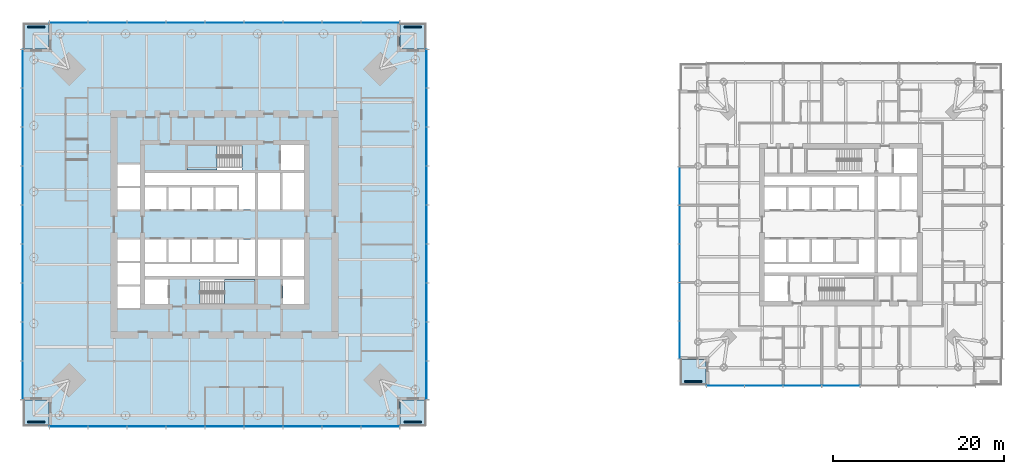
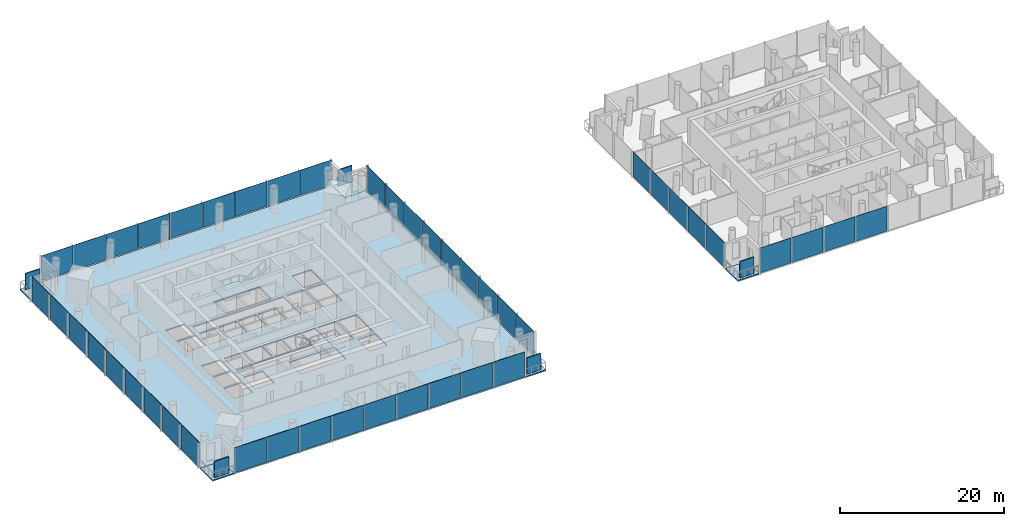
# One storey, part 7 of 18: 50 plates, 8 slabs, 8 elements without a shape of their own.
"""IFC4 building model written with IfcOpenShell, lengths in metres."""

from ifc_helpers import new_model, si_unit, direction, frame, origin, origin_2d, place, context, subcontext, project, spatial, polyline, rectangle, outline, extrude, material, layer, layer_set, type_object, element, aggregate, save


model = new_model("IFC4")

# Units and contexts
model_context = context("Model", 3, precision=1e-05, world=origin(), true_north=direction((0.0, 1.0)))
body_context = subcontext(model_context, "Body", "Model", "MODEL_VIEW")
ifc_project = project(units=[si_unit("LENGTHUNIT", "METRE"), si_unit("AREAUNIT", "SQUARE_METRE"), si_unit("VOLUMEUNIT", "CUBIC_METRE"), si_unit("PLANEANGLEUNIT", "RADIAN"), si_unit("MASSUNIT", "GRAM", prefix="KILO")], contexts=[model_context])

# Site, building, storey
site_placement = place(None, origin())
site = spatial("IfcSite", under=ifc_project, at=site_placement, CompositionType="ELEMENT")
building_placement = place(site_placement, origin())
building = spatial("IfcBuilding", under=site, at=building_placement, Name="Ostroluk Exchange", CompositionType="ELEMENT")
storey_placement = place(building_placement, frame((0.0, 0.0, 74.199951171875)))
storey = spatial("IfcBuildingStorey", under=building, at=storey_placement, Name="L18", CompositionType="ELEMENT", Elevation=74.199951171875)

# Curtain wall, plates
ifc_material_1 = material(Name="Laminated clear glass", Category="glass")
curtain_wall_type_1 = type_object("IfcCurtainWallType", Name="Hotel guest floor facade", PredefinedType="USERDEFINED", material=ifc_material_1)
curtain_wall_1_placement = place(storey_placement, origin())
curtain_wall_1 = element("IfcCurtainWall", 1, at=curtain_wall_1_placement, inside=storey, type_object=curtain_wall_type_1, Name="Hotel tower south facade L18", ObjectType="UNITISED CURTAIN WALL", PredefinedType="USERDEFINED")
ifc_material_2 = material(Name="Laminated clear glass", Category="glass")
ifc_layer_1 = layer(ifc_material_2, 0.0400390625)
ifc_layer_set_1 = layer_set([ifc_layer_1], Name="Acoustic laminated glazing 40")
plate_type_1 = type_object("IfcPlateType", Name="Acoustic laminated glazing 40", PredefinedType="CURTAIN_PANEL", material=ifc_layer_set_1)
plate_1_placement = place(storey_placement, frame((103.52001953125, 27.175048828125, 0.080078125), z_axis=(0.0, 0.0, 1.0), x_axis=(1.0, 0.0, 0.0)))
plate_1 = element("IfcPlate", 2, at=plate_1_placement, type_object=plate_type_1, Name="CW-H1 panel 1.1", PredefinedType="CURTAIN_PANEL", context=body_context, shape_type="SweptSolid", body=[
    extrude(rectangle(XDim=4.3798828125, YDim=0.0400390625, at=origin_2d()), origin(), (0.0, 0.0, 1.0), 3.719970703125),
])
plate_2_placement = place(storey_placement, frame((108.0, 27.175048828125, 0.080078125), z_axis=(0.0, 0.0, 1.0), x_axis=(1.0, 0.0, 0.0)))
plate_2 = element("IfcPlate", 3, at=plate_2_placement, type_object=plate_type_1, Name="CW-H1 panel 2.1", PredefinedType="CURTAIN_PANEL", context=body_context, shape_type="SweptSolid", body=[
    extrude(rectangle(XDim=4.419921875, YDim=0.0400390625, at=origin_2d()), origin(), (0.0, 0.0, 1.0), 3.719970703125),
])
plate_3_placement = place(storey_placement, frame((112.5, 27.175048828125, 0.080078125), z_axis=(0.0, 0.0, 1.0), x_axis=(1.0, 0.0, 0.0)))
plate_3 = element("IfcPlate", 4, at=plate_3_placement, type_object=plate_type_1, Name="CW-H1 panel 3.1", PredefinedType="CURTAIN_PANEL", context=body_context, shape_type="SweptSolid", body=[
    extrude(rectangle(XDim=4.419921875, YDim=0.0400390625, at=origin_2d()), origin(), (0.0, 0.0, 1.0), 3.719970703125),
])
plate_4_placement = place(storey_placement, frame((117.0, 27.175048828125, 0.080078125), z_axis=(0.0, 0.0, 1.0), x_axis=(1.0, 0.0, 0.0)))
plate_4 = element("IfcPlate", 5, at=plate_4_placement, type_object=plate_type_1, Name="CW-H1 panel 4.1", PredefinedType="CURTAIN_PANEL", context=body_context, shape_type="SweptSolid", body=[
    extrude(rectangle(XDim=4.419921875, YDim=0.0400390625, at=origin_2d()), origin(), (0.0, 0.0, 1.0), 3.719970703125),
])
aggregate(curtain_wall_1, [plate_1, plate_2, plate_3, plate_4])

curtain_wall_2_placement = place(storey_placement, origin())
curtain_wall_2 = element("IfcCurtainWall", 6, at=curtain_wall_2_placement, inside=storey, type_object=curtain_wall_type_1, Name="Hotel tower west facade L18", ObjectType="UNITISED CURTAIN WALL", PredefinedType="USERDEFINED")
plate_5_placement = place(storey_placement, frame((98.175048828125, 50.5, 0.080078125), z_axis=(0.0, 0.0, 1.0), x_axis=(0.0, -1.0, 0.0)))
plate_5 = element("IfcPlate", 7, at=plate_5_placement, type_object=plate_type_1, Name="CW-H1 panel 3.1", PredefinedType="CURTAIN_PANEL", context=body_context, shape_type="SweptSolid", body=[
    extrude(rectangle(XDim=4.419921875, YDim=0.0400390625, at=origin_2d()), origin(), (0.0, 0.0, 1.0), 3.719970703125),
])
plate_6_placement = place(storey_placement, frame((98.175048828125, 46.0, 0.080078125), z_axis=(0.0, 0.0, 1.0), x_axis=(0.0, -1.0, 0.0)))
plate_6 = element("IfcPlate", 8, at=plate_6_placement, type_object=plate_type_1, Name="CW-H1 panel 4.1", PredefinedType="CURTAIN_PANEL", context=body_context, shape_type="SweptSolid", body=[
    extrude(rectangle(XDim=4.419921875, YDim=0.0400390625, at=origin_2d()), origin(), (0.0, 0.0, 1.0), 3.719970703125),
])
plate_7_placement = place(storey_placement, frame((98.175048828125, 41.5, 0.080078125), z_axis=(0.0, 0.0, 1.0), x_axis=(0.0, -1.0, 0.0)))
plate_7 = element("IfcPlate", 9, at=plate_7_placement, type_object=plate_type_1, Name="CW-H1 panel 5.1", PredefinedType="CURTAIN_PANEL", context=body_context, shape_type="SweptSolid", body=[
    extrude(rectangle(XDim=4.419921875, YDim=0.0400390625, at=origin_2d()), origin(), (0.0, 0.0, 1.0), 3.719970703125),
])
plate_8_placement = place(storey_placement, frame((98.175048828125, 37.0, 0.080078125), z_axis=(0.0, 0.0, 1.0), x_axis=(0.0, -1.0, 0.0)))
plate_8 = element("IfcPlate", 10, at=plate_8_placement, type_object=plate_type_1, Name="CW-H1 panel 6.1", PredefinedType="CURTAIN_PANEL", context=body_context, shape_type="SweptSolid", body=[
    extrude(rectangle(XDim=4.419921875, YDim=0.0400390625, at=origin_2d()), origin(), (0.0, 0.0, 1.0), 3.719970703125),
])
plate_9_placement = place(storey_placement, frame((98.175048828125, 32.52001953125, 0.080078125), z_axis=(0.0, 0.0, 1.0), x_axis=(0.0, -1.0, 0.0)))
plate_9 = element("IfcPlate", 11, at=plate_9_placement, type_object=plate_type_1, Name="CW-H1 panel 7.1", PredefinedType="CURTAIN_PANEL", context=body_context, shape_type="SweptSolid", body=[
    extrude(rectangle(XDim=4.3798828125, YDim=0.0400390625, at=origin_2d()), origin(), (0.0, 0.0, 1.0), 3.719970703125),
])
aggregate(curtain_wall_2, [plate_5, plate_6, plate_7, plate_8, plate_9])

# Slabs
ifc_material_3 = material(Name="Concrete C35/45", Category="concrete")
ifc_layer_2 = layer(ifc_material_3, 0.179931640625)
ifc_layer_set_2 = layer_set([ifc_layer_2], Name="Balcony slab 180")
slab_type_1 = type_object("IfcSlabType", Name="Balcony slab 180", PredefinedType="USERDEFINED", material=ifc_layer_set_2)
slab_1_placement = place(storey_placement, frame((0.0, 0.0, -0.179931640625)))
element("IfcSlab", 12, at=slab_1_placement, inside=storey, type_object=slab_type_1, Name="Office tower SE corner balcony L18", ObjectType="BALCONY", PredefinedType="USERDEFINED", context=body_context, shape_type="SweptSolid", body=[
    extrude(outline(polyline([(65.5, 22.5), (68.5, 22.5), (68.5, 25.5), (65.5, 25.5), (65.5, 22.5)])), origin(), (0.0, 0.0, 1.0), 0.179931640625),
])
slab_2_placement = place(storey_placement, frame((0.0, 0.0, -0.179931640625)))
element("IfcSlab", 13, at=slab_2_placement, inside=storey, type_object=slab_type_1, Name="Office tower NE corner balcony L18", ObjectType="BALCONY", PredefinedType="USERDEFINED", context=body_context, shape_type="SweptSolid", body=[
    extrude(outline(polyline([(65.5, 66.5), (68.5, 66.5), (68.5, 69.5), (65.5, 69.5), (65.5, 66.5)])), origin(), (0.0, 0.0, 1.0), 0.179931640625),
])
slab_3_placement = place(storey_placement, frame((0.0, 0.0, -0.179931640625)))
element("IfcSlab", 14, at=slab_3_placement, inside=storey, type_object=slab_type_1, Name="Office tower NW corner balcony L18", ObjectType="BALCONY", PredefinedType="USERDEFINED", context=body_context, shape_type="SweptSolid", body=[
    extrude(outline(polyline([(21.5, 66.5), (24.5, 66.5), (24.5, 69.5), (21.5, 69.5), (21.5, 66.5)])), origin(), (0.0, 0.0, 1.0), 0.179931640625),
])
slab_4_placement = place(storey_placement, frame((0.0, 0.0, -0.179931640625)))
element("IfcSlab", 15, at=slab_4_placement, inside=storey, type_object=slab_type_1, Name="Office tower SW corner balcony L18", ObjectType="BALCONY", PredefinedType="USERDEFINED", context=body_context, shape_type="SweptSolid", body=[
    extrude(outline(polyline([(21.5, 22.5), (24.5, 22.5), (24.5, 25.5), (21.5, 25.5), (21.5, 22.5)])), origin(), (0.0, 0.0, 1.0), 0.179931640625),
])
ifc_material_4 = material(Name="Concrete C35/45", Category="concrete")
ifc_layer_3 = layer(ifc_material_4, 0.199951171875)
ifc_layer_set_3 = layer_set([ifc_layer_3], Name="Balcony slab 200")
slab_type_2 = type_object("IfcSlabType", Name="Balcony slab 200", PredefinedType="USERDEFINED", material=ifc_layer_set_3)
slab_5_placement = place(storey_placement, frame((0.0, 0.0, -0.199951171875)))
element("IfcSlab", 16, at=slab_5_placement, inside=storey, type_object=slab_type_2, Name="Hotel tower SW corner balcony L18", ObjectType="BALCONY", PredefinedType="USERDEFINED", context=body_context, shape_type="SweptSolid", body=[
    extrude(outline(polyline([(98.25, 27.25), (101.25, 27.25), (101.25, 30.25), (98.25, 30.25), (98.25, 27.25)])), origin(), (0.0, 0.0, 1.0), 0.199951171875),
])

# Plates
ifc_material_5 = material(Name="Steel S355 trellis with planting", Category="steel")
ifc_layer_4 = layer(ifc_material_5, 0.14990234375)
ifc_layer_set_4 = layer_set([ifc_layer_4], Name="Planted screen 150")
plate_type_2 = type_object("IfcPlateType", Name="Planted screen 150", PredefinedType="USERDEFINED", material=ifc_layer_set_4)
for number, where, z_axis, x_axis, name in (
    (17, (67.0, 22.925048828125, 0.0), (0.0, 0.0, 1.0), (1.0, 0.0, 0.0), "Office tower SE planted screen L18"),
    (18, (67.0, 69.074951171875, 0.0), (0.0, 0.0, 1.0), (1.0, 0.0, 0.0), "Office tower NE planted screen L18"),
    (19, (23.0, 69.074951171875, 0.0), (0.0, 0.0, 1.0), (1.0, 0.0, 0.0), "Office tower NW planted screen L18"),
    (20, (23.0, 22.925048828125, 0.0), (0.0, 0.0, 1.0), (1.0, 0.0, 0.0), "Office tower SW planted screen L18"),
    (21, (99.75, 27.675048828125, 0.0), (0.0, 0.0, 1.0), (1.0, 0.0, 0.0), "Hotel tower SW planted screen L18"),
):
    element("IfcPlate", number, at=place(storey_placement, frame(where, z_axis=z_axis, x_axis=x_axis)), inside=storey, type_object=plate_type_2, Name=name, ObjectType="PLANTED SCREEN", PredefinedType="USERDEFINED", context=body_context, shape_type="SweptSolid", body=[
        extrude(rectangle(XDim=2.0, YDim=0.14990234375, at=origin_2d()), origin(), (0.0, 0.0, 1.0), 2.39990234375),
    ])

# Stair, slab
ifc_material_6 = material(Name="Concrete C30/37", Category="concrete")
stair_type = type_object("IfcStairType", Name="Exit stair half turn 3800", PredefinedType="HALF_TURN_STAIR", material=ifc_material_6)
stair_1_placement = place(storey_placement, origin())
stair_1 = element("IfcStair", 22, at=stair_1_placement, inside=storey, type_object=stair_type, Name="Stair T1-S1 L18", PredefinedType="HALF_TURN_STAIR")
ifc_material_7 = material(Name="Concrete C30/37", Category="concrete")
ifc_layer_5 = layer(ifc_material_7, 0.199951171875)
ifc_layer_set_5 = layer_set([ifc_layer_5], Name="Stair landing 200")
slab_type_3 = type_object("IfcSlabType", Name="Stair landing 200", PredefinedType="LANDING", material=ifc_layer_set_5)
slab_6_placement = place(storey_placement, frame((0.0, 0.0, 1.699951171875)))
slab_6 = element("IfcSlab", 23, at=slab_6_placement, type_object=slab_type_3, Name="T1-S1 landing 1", PredefinedType="LANDING", context=body_context, shape_type="SweptSolid", body=[
    extrude(outline(polyline([(45.0, 36.699951171875), (45.0, 39.60009765625), (48.530029296875, 39.60009765625), (48.530029296875, 36.699951171875), (45.0, 36.699951171875)])), origin(), (0.0, 0.0, 1.0), 0.2001953125),
])
aggregate(stair_1, [slab_6])

stair_2_placement = place(storey_placement, origin())
stair_2 = element("IfcStair", 24, at=stair_2_placement, inside=storey, type_object=stair_type, Name="Stair T1-S2 L18", PredefinedType="HALF_TURN_STAIR")
slab_7_placement = place(storey_placement, frame((0.0, 0.0, 1.699951171875)))
slab_7 = element("IfcSlab", 25, at=slab_7_placement, type_object=slab_type_3, Name="T1-S2 landing 1", PredefinedType="LANDING", context=body_context, shape_type="SweptSolid", body=[
    extrude(outline(polyline([(44.1298828125, 52.39990234375), (44.1298828125, 55.300048828125), (40.60009765625, 55.300048828125), (40.60009765625, 52.39990234375), (44.1298828125, 52.39990234375)])), origin(), (0.0, 0.0, 1.0), 0.2001953125),
])
aggregate(stair_2, [slab_7])

# Slab
ifc_material_8 = material(Name="Concrete C35/45", Category="concrete")
ifc_layer_6 = layer(ifc_material_8, 0.179931640625)
ifc_layer_set_6 = layer_set([ifc_layer_6], Name="Tower floor slab 180 composite")
slab_type_4 = type_object("IfcSlabType", Name="Tower floor slab 180 composite", PredefinedType="FLOOR", material=ifc_layer_set_6)
slab_8_placement = place(storey_placement, frame((0.0, 0.0, -0.179931640625)))
element("IfcSlab", 26, at=slab_8_placement, inside=storey, type_object=slab_type_4, Name="Office tower floor slab L18", PredefinedType="FLOOR", context=body_context, shape_type="SweptSolid", body=[
    extrude(outline(polyline([(24.5, 22.5), (65.5, 22.5), (65.5, 25.5), (68.5, 25.5), (68.5, 66.5), (65.5, 66.5), (65.5, 69.5), (24.5, 69.5), (24.5, 66.5), (21.5, 66.5), (21.5, 25.5), (24.5, 25.5), (24.5, 22.5)]), holes=[polyline([(35.699951171875, 36.699951171875), (38.39990234375, 36.699951171875), (38.39990234375, 39.60009765625), (35.699951171875, 39.60009765625), (35.699951171875, 36.699951171875)]), polyline([(42.110107421875, 36.699951171875), (48.530029296875, 36.699951171875), (48.530029296875, 39.60009765625), (42.110107421875, 39.60009765625), (42.110107421875, 36.699951171875)]), polyline([(51.800048828125, 36.699951171875), (54.300048828125, 36.699951171875), (54.300048828125, 39.60009765625), (51.800048828125, 39.60009765625), (51.800048828125, 36.699951171875)]), polyline([(40.60009765625, 52.39990234375), (47.02001953125, 52.39990234375), (47.02001953125, 55.300048828125), (40.60009765625, 55.300048828125), (40.60009765625, 52.39990234375)]), polyline([(51.60009765625, 52.39990234375), (54.300048828125, 52.39990234375), (54.300048828125, 55.300048828125), (51.60009765625, 55.300048828125), (51.60009765625, 52.39990234375)]), polyline([(35.699951171875, 47.75), (38.199951171875, 47.75), (38.199951171875, 50.35009765625), (35.699951171875, 50.35009765625), (35.699951171875, 47.75)]), polyline([(38.449951171875, 47.75), (40.949951171875, 47.75), (40.949951171875, 50.35009765625), (38.449951171875, 50.35009765625), (38.449951171875, 47.75)]), polyline([(41.199951171875, 47.75), (43.699951171875, 47.75), (43.699951171875, 50.35009765625), (41.199951171875, 50.35009765625), (41.199951171875, 47.75)]), polyline([(43.949951171875, 47.75), (46.449951171875, 47.75), (46.449951171875, 50.35009765625), (43.949951171875, 50.35009765625), (43.949951171875, 47.75)]), polyline([(35.699951171875, 41.64990234375), (38.199951171875, 41.64990234375), (38.199951171875, 44.25), (35.699951171875, 44.25), (35.699951171875, 41.64990234375)]), polyline([(38.449951171875, 41.64990234375), (40.949951171875, 41.64990234375), (40.949951171875, 44.25), (38.449951171875, 44.25), (38.449951171875, 41.64990234375)]), polyline([(41.199951171875, 41.64990234375), (43.699951171875, 41.64990234375), (43.699951171875, 44.25), (41.199951171875, 44.25), (41.199951171875, 41.64990234375)]), polyline([(43.949951171875, 41.64990234375), (46.449951171875, 41.64990234375), (46.449951171875, 44.25), (43.949951171875, 44.25), (43.949951171875, 41.64990234375)]), polyline([(48.929931640625, 47.75), (51.489990234375, 47.75), (51.489990234375, 52.0), (48.929931640625, 52.0), (48.929931640625, 47.75)]), polyline([(51.739990234375, 47.75), (54.300048828125, 47.75), (54.300048828125, 52.0), (51.739990234375, 52.0), (51.739990234375, 47.75)]), polyline([(48.929931640625, 40.0), (51.489990234375, 40.0), (51.489990234375, 44.25), (48.929931640625, 44.25), (48.929931640625, 40.0)]), polyline([(51.739990234375, 40.0), (54.300048828125, 40.0), (54.300048828125, 44.25), (51.739990234375, 44.25), (51.739990234375, 40.0)]), polyline([(48.530029296875, 52.0), (48.530029296875, 47.75), (46.699951171875, 47.75), (46.699951171875, 50.60009765625), (35.699951171875, 50.60009765625), (35.699951171875, 52.0), (48.530029296875, 52.0)]), polyline([(35.699951171875, 40.0), (35.699951171875, 41.39990234375), (46.699951171875, 41.39990234375), (46.699951171875, 44.25), (48.530029296875, 44.25), (48.530029296875, 40.0), (35.699951171875, 40.0)]), polyline([(32.5, 36.25), (35.10009765625, 36.25), (35.10009765625, 38.75), (32.5, 38.75), (32.5, 36.25)]), polyline([(32.5, 39.0), (35.10009765625, 39.0), (35.10009765625, 41.5), (32.5, 41.5), (32.5, 39.0)]), polyline([(32.5, 41.75), (35.10009765625, 41.75), (35.10009765625, 44.25), (32.5, 44.25), (32.5, 41.75)]), polyline([(32.5, 47.75), (35.10009765625, 47.75), (35.10009765625, 50.25), (32.5, 50.25), (32.5, 47.75)]), polyline([(32.5, 50.5), (35.10009765625, 50.5), (35.10009765625, 53.0), (32.5, 53.0), (32.5, 50.5)])]), origin(), (0.0, 0.0, 1.0), 0.179931640625),
])

# Curtain wall, plates
ifc_material_9 = material(Name="Laminated clear glass", Category="glass")
curtain_wall_type_2 = type_object("IfcCurtainWallType", Name="Office tower facade", PredefinedType="USERDEFINED", material=ifc_material_9)
curtain_wall_3_placement = place(storey_placement, origin())
curtain_wall_3 = element("IfcCurtainWall", 27, at=curtain_wall_3_placement, inside=storey, type_object=curtain_wall_type_2, Name="Office tower south facade L18", ObjectType="UNITISED CURTAIN WALL", PredefinedType="USERDEFINED")
ifc_material_10 = material(Name="Laminated clear glass", Category="glass")
ifc_layer_7 = layer(ifc_material_10, 0.0439453125)
ifc_layer_set_7 = layer_set([ifc_layer_7], Name="Triple laminated clear glazing 44")
plate_type_3 = type_object("IfcPlateType", Name="Triple laminated clear glazing 44", PredefinedType="CURTAIN_PANEL", material=ifc_layer_set_7)
plate_10_placement = place(storey_placement, frame((26.7978515625, 22.425048828125, 0.080078125), z_axis=(0.0, 0.0, 1.0), x_axis=(1.0, 0.0, 0.0)))
plate_10 = element("IfcPlate", 28, at=plate_10_placement, type_object=plate_type_3, Name="CW-O1 panel 1.1", PredefinedType="CURTAIN_PANEL", context=body_context, shape_type="SweptSolid", body=[
    extrude(rectangle(XDim=4.435546875, YDim=0.0439453125, at=origin_2d()), origin(), (0.0, 0.0, 1.0), 3.719970703125),
])
plate_11_placement = place(storey_placement, frame((31.333251953125, 22.425048828125, 0.080078125), z_axis=(0.0, 0.0, 1.0), x_axis=(1.0, 0.0, 0.0)))
plate_11 = element("IfcPlate", 29, at=plate_11_placement, type_object=plate_type_3, Name="CW-O1 panel 2.1", PredefinedType="CURTAIN_PANEL", context=body_context, shape_type="SweptSolid", body=[
    extrude(rectangle(XDim=4.4755859375, YDim=0.0439453125, at=origin_2d()), origin(), (0.0, 0.0, 1.0), 3.719970703125),
])
plate_12_placement = place(storey_placement, frame((35.888916015625, 22.425048828125, 0.080078125), z_axis=(0.0, 0.0, 1.0), x_axis=(1.0, 0.0, 0.0)))
plate_12 = element("IfcPlate", 30, at=plate_12_placement, type_object=plate_type_3, Name="CW-O1 panel 3.1", PredefinedType="CURTAIN_PANEL", context=body_context, shape_type="SweptSolid", body=[
    extrude(rectangle(XDim=4.4755859375, YDim=0.0439453125, at=origin_2d()), origin(), (0.0, 0.0, 1.0), 3.719970703125),
])
plate_13_placement = place(storey_placement, frame((40.4443359375, 22.425048828125, 0.080078125), z_axis=(0.0, 0.0, 1.0), x_axis=(1.0, 0.0, 0.0)))
plate_13 = element("IfcPlate", 31, at=plate_13_placement, type_object=plate_type_3, Name="CW-O1 panel 4.1", PredefinedType="CURTAIN_PANEL", context=body_context, shape_type="SweptSolid", body=[
    extrude(rectangle(XDim=4.4755859375, YDim=0.0439453125, at=origin_2d()), origin(), (0.0, 0.0, 1.0), 3.719970703125),
])
plate_14_placement = place(storey_placement, frame((45.0, 22.425048828125, 0.080078125), z_axis=(0.0, 0.0, 1.0), x_axis=(1.0, 0.0, 0.0)))
plate_14 = element("IfcPlate", 32, at=plate_14_placement, type_object=plate_type_3, Name="CW-O1 panel 5.1", PredefinedType="CURTAIN_PANEL", context=body_context, shape_type="SweptSolid", body=[
    extrude(rectangle(XDim=4.4755859375, YDim=0.0439453125, at=origin_2d()), origin(), (0.0, 0.0, 1.0), 3.719970703125),
])
plate_15_placement = place(storey_placement, frame((49.5556640625, 22.425048828125, 0.080078125), z_axis=(0.0, 0.0, 1.0), x_axis=(1.0, 0.0, 0.0)))
plate_15 = element("IfcPlate", 33, at=plate_15_placement, type_object=plate_type_3, Name="CW-O1 panel 6.1", PredefinedType="CURTAIN_PANEL", context=body_context, shape_type="SweptSolid", body=[
    extrude(rectangle(XDim=4.4755859375, YDim=0.0439453125, at=origin_2d()), origin(), (0.0, 0.0, 1.0), 3.719970703125),
])
plate_16_placement = place(storey_placement, frame((54.111083984375, 22.425048828125, 0.080078125), z_axis=(0.0, 0.0, 1.0), x_axis=(1.0, 0.0, 0.0)))
plate_16 = element("IfcPlate", 34, at=plate_16_placement, type_object=plate_type_3, Name="CW-O1 panel 7.1", PredefinedType="CURTAIN_PANEL", context=body_context, shape_type="SweptSolid", body=[
    extrude(rectangle(XDim=4.4755859375, YDim=0.0439453125, at=origin_2d()), origin(), (0.0, 0.0, 1.0), 3.719970703125),
])
plate_17_placement = place(storey_placement, frame((58.666748046875, 22.425048828125, 0.080078125), z_axis=(0.0, 0.0, 1.0), x_axis=(1.0, 0.0, 0.0)))
plate_17 = element("IfcPlate", 35, at=plate_17_placement, type_object=plate_type_3, Name="CW-O1 panel 8.1", PredefinedType="CURTAIN_PANEL", context=body_context, shape_type="SweptSolid", body=[
    extrude(rectangle(XDim=4.4755859375, YDim=0.0439453125, at=origin_2d()), origin(), (0.0, 0.0, 1.0), 3.719970703125),
])
plate_18_placement = place(storey_placement, frame((63.2021484375, 22.425048828125, 0.080078125), z_axis=(0.0, 0.0, 1.0), x_axis=(1.0, 0.0, 0.0)))
plate_18 = element("IfcPlate", 36, at=plate_18_placement, type_object=plate_type_3, Name="CW-O1 panel 9.1", PredefinedType="CURTAIN_PANEL", context=body_context, shape_type="SweptSolid", body=[
    extrude(rectangle(XDim=4.435546875, YDim=0.0439453125, at=origin_2d()), origin(), (0.0, 0.0, 1.0), 3.719970703125),
])
aggregate(curtain_wall_3, [plate_10, plate_11, plate_12, plate_13, plate_14, plate_15, plate_16, plate_17, plate_18])

curtain_wall_4_placement = place(storey_placement, origin())
curtain_wall_4 = element("IfcCurtainWall", 37, at=curtain_wall_4_placement, inside=storey, type_object=curtain_wall_type_2, Name="Office tower east facade L18", ObjectType="UNITISED CURTAIN WALL", PredefinedType="USERDEFINED")
plate_19_placement = place(storey_placement, frame((68.574951171875, 27.7978515625, 0.080078125), z_axis=(0.0, 0.0, 1.0), x_axis=(0.0, 1.0, 0.0)))
plate_19 = element("IfcPlate", 38, at=plate_19_placement, type_object=plate_type_3, Name="CW-O1 panel 1.1", PredefinedType="CURTAIN_PANEL", context=body_context, shape_type="SweptSolid", body=[
    extrude(rectangle(XDim=4.435546875, YDim=0.0439453125, at=origin_2d()), origin(), (0.0, 0.0, 1.0), 3.719970703125),
])
plate_20_placement = place(storey_placement, frame((68.574951171875, 32.333251953125, 0.080078125), z_axis=(0.0, 0.0, 1.0), x_axis=(0.0, 1.0, 0.0)))
plate_20 = element("IfcPlate", 39, at=plate_20_placement, type_object=plate_type_3, Name="CW-O1 panel 2.1", PredefinedType="CURTAIN_PANEL", context=body_context, shape_type="SweptSolid", body=[
    extrude(rectangle(XDim=4.4755859375, YDim=0.0439453125, at=origin_2d()), origin(), (0.0, 0.0, 1.0), 3.719970703125),
])
plate_21_placement = place(storey_placement, frame((68.574951171875, 36.888916015625, 0.080078125), z_axis=(0.0, 0.0, 1.0), x_axis=(0.0, 1.0, 0.0)))
plate_21 = element("IfcPlate", 40, at=plate_21_placement, type_object=plate_type_3, Name="CW-O1 panel 3.1", PredefinedType="CURTAIN_PANEL", context=body_context, shape_type="SweptSolid", body=[
    extrude(rectangle(XDim=4.4755859375, YDim=0.0439453125, at=origin_2d()), origin(), (0.0, 0.0, 1.0), 3.719970703125),
])
plate_22_placement = place(storey_placement, frame((68.574951171875, 41.4443359375, 0.080078125), z_axis=(0.0, 0.0, 1.0), x_axis=(0.0, 1.0, 0.0)))
plate_22 = element("IfcPlate", 41, at=plate_22_placement, type_object=plate_type_3, Name="CW-O1 panel 4.1", PredefinedType="CURTAIN_PANEL", context=body_context, shape_type="SweptSolid", body=[
    extrude(rectangle(XDim=4.4755859375, YDim=0.0439453125, at=origin_2d()), origin(), (0.0, 0.0, 1.0), 3.719970703125),
])
plate_23_placement = place(storey_placement, frame((68.574951171875, 46.0, 0.080078125), z_axis=(0.0, 0.0, 1.0), x_axis=(0.0, 1.0, 0.0)))
plate_23 = element("IfcPlate", 42, at=plate_23_placement, type_object=plate_type_3, Name="CW-O1 panel 5.1", PredefinedType="CURTAIN_PANEL", context=body_context, shape_type="SweptSolid", body=[
    extrude(rectangle(XDim=4.4755859375, YDim=0.0439453125, at=origin_2d()), origin(), (0.0, 0.0, 1.0), 3.719970703125),
])
plate_24_placement = place(storey_placement, frame((68.574951171875, 50.5556640625, 0.080078125), z_axis=(0.0, 0.0, 1.0), x_axis=(0.0, 1.0, 0.0)))
plate_24 = element("IfcPlate", 43, at=plate_24_placement, type_object=plate_type_3, Name="CW-O1 panel 6.1", PredefinedType="CURTAIN_PANEL", context=body_context, shape_type="SweptSolid", body=[
    extrude(rectangle(XDim=4.4755859375, YDim=0.0439453125, at=origin_2d()), origin(), (0.0, 0.0, 1.0), 3.719970703125),
])
plate_25_placement = place(storey_placement, frame((68.574951171875, 55.111083984375, 0.080078125), z_axis=(0.0, 0.0, 1.0), x_axis=(0.0, 1.0, 0.0)))
plate_25 = element("IfcPlate", 44, at=plate_25_placement, type_object=plate_type_3, Name="CW-O1 panel 7.1", PredefinedType="CURTAIN_PANEL", context=body_context, shape_type="SweptSolid", body=[
    extrude(rectangle(XDim=4.4755859375, YDim=0.0439453125, at=origin_2d()), origin(), (0.0, 0.0, 1.0), 3.719970703125),
])
plate_26_placement = place(storey_placement, frame((68.574951171875, 59.666748046875, 0.080078125), z_axis=(0.0, 0.0, 1.0), x_axis=(0.0, 1.0, 0.0)))
plate_26 = element("IfcPlate", 45, at=plate_26_placement, type_object=plate_type_3, Name="CW-O1 panel 8.1", PredefinedType="CURTAIN_PANEL", context=body_context, shape_type="SweptSolid", body=[
    extrude(rectangle(XDim=4.4755859375, YDim=0.0439453125, at=origin_2d()), origin(), (0.0, 0.0, 1.0), 3.719970703125),
])
plate_27_placement = place(storey_placement, frame((68.574951171875, 64.2021484375, 0.080078125), z_axis=(0.0, 0.0, 1.0), x_axis=(0.0, 1.0, 0.0)))
plate_27 = element("IfcPlate", 46, at=plate_27_placement, type_object=plate_type_3, Name="CW-O1 panel 9.1", PredefinedType="CURTAIN_PANEL", context=body_context, shape_type="SweptSolid", body=[
    extrude(rectangle(XDim=4.435546875, YDim=0.0439453125, at=origin_2d()), origin(), (0.0, 0.0, 1.0), 3.719970703125),
])
aggregate(curtain_wall_4, [plate_19, plate_20, plate_21, plate_22, plate_23, plate_24, plate_25, plate_26, plate_27])

curtain_wall_5_placement = place(storey_placement, origin())
curtain_wall_5 = element("IfcCurtainWall", 47, at=curtain_wall_5_placement, inside=storey, type_object=curtain_wall_type_2, Name="Office tower north facade L18", ObjectType="UNITISED CURTAIN WALL", PredefinedType="USERDEFINED")
plate_28_placement = place(storey_placement, frame((63.2021484375, 69.574951171875, 0.080078125), z_axis=(0.0, 0.0, 1.0), x_axis=(-1.0, 0.0, 0.0)))
plate_28 = element("IfcPlate", 48, at=plate_28_placement, type_object=plate_type_3, Name="CW-O1 panel 1.1", PredefinedType="CURTAIN_PANEL", context=body_context, shape_type="SweptSolid", body=[
    extrude(rectangle(XDim=4.435546875, YDim=0.0439453125, at=origin_2d()), origin(), (0.0, 0.0, 1.0), 3.719970703125),
])
plate_29_placement = place(storey_placement, frame((58.666748046875, 69.574951171875, 0.080078125), z_axis=(0.0, 0.0, 1.0), x_axis=(-1.0, 0.0, 0.0)))
plate_29 = element("IfcPlate", 49, at=plate_29_placement, type_object=plate_type_3, Name="CW-O1 panel 2.1", PredefinedType="CURTAIN_PANEL", context=body_context, shape_type="SweptSolid", body=[
    extrude(rectangle(XDim=4.4755859375, YDim=0.0439453125, at=origin_2d()), origin(), (0.0, 0.0, 1.0), 3.719970703125),
])
plate_30_placement = place(storey_placement, frame((54.111083984375, 69.574951171875, 0.080078125), z_axis=(0.0, 0.0, 1.0), x_axis=(-1.0, 0.0, 0.0)))
plate_30 = element("IfcPlate", 50, at=plate_30_placement, type_object=plate_type_3, Name="CW-O1 panel 3.1", PredefinedType="CURTAIN_PANEL", context=body_context, shape_type="SweptSolid", body=[
    extrude(rectangle(XDim=4.4755859375, YDim=0.0439453125, at=origin_2d()), origin(), (0.0, 0.0, 1.0), 3.719970703125),
])
plate_31_placement = place(storey_placement, frame((49.5556640625, 69.574951171875, 0.080078125), z_axis=(0.0, 0.0, 1.0), x_axis=(-1.0, 0.0, 0.0)))
plate_31 = element("IfcPlate", 51, at=plate_31_placement, type_object=plate_type_3, Name="CW-O1 panel 4.1", PredefinedType="CURTAIN_PANEL", context=body_context, shape_type="SweptSolid", body=[
    extrude(rectangle(XDim=4.4755859375, YDim=0.0439453125, at=origin_2d()), origin(), (0.0, 0.0, 1.0), 3.719970703125),
])
plate_32_placement = place(storey_placement, frame((45.0, 69.574951171875, 0.080078125), z_axis=(0.0, 0.0, 1.0), x_axis=(-1.0, 0.0, 0.0)))
plate_32 = element("IfcPlate", 52, at=plate_32_placement, type_object=plate_type_3, Name="CW-O1 panel 5.1", PredefinedType="CURTAIN_PANEL", context=body_context, shape_type="SweptSolid", body=[
    extrude(rectangle(XDim=4.4755859375, YDim=0.0439453125, at=origin_2d()), origin(), (0.0, 0.0, 1.0), 3.719970703125),
])
plate_33_placement = place(storey_placement, frame((40.4443359375, 69.574951171875, 0.080078125), z_axis=(0.0, 0.0, 1.0), x_axis=(-1.0, 0.0, 0.0)))
plate_33 = element("IfcPlate", 53, at=plate_33_placement, type_object=plate_type_3, Name="CW-O1 panel 6.1", PredefinedType="CURTAIN_PANEL", context=body_context, shape_type="SweptSolid", body=[
    extrude(rectangle(XDim=4.4755859375, YDim=0.0439453125, at=origin_2d()), origin(), (0.0, 0.0, 1.0), 3.719970703125),
])
plate_34_placement = place(storey_placement, frame((35.888916015625, 69.574951171875, 0.080078125), z_axis=(0.0, 0.0, 1.0), x_axis=(-1.0, 0.0, 0.0)))
plate_34 = element("IfcPlate", 54, at=plate_34_placement, type_object=plate_type_3, Name="CW-O1 panel 7.1", PredefinedType="CURTAIN_PANEL", context=body_context, shape_type="SweptSolid", body=[
    extrude(rectangle(XDim=4.4755859375, YDim=0.0439453125, at=origin_2d()), origin(), (0.0, 0.0, 1.0), 3.719970703125),
])
plate_35_placement = place(storey_placement, frame((31.333251953125, 69.574951171875, 0.080078125), z_axis=(0.0, 0.0, 1.0), x_axis=(-1.0, 0.0, 0.0)))
plate_35 = element("IfcPlate", 55, at=plate_35_placement, type_object=plate_type_3, Name="CW-O1 panel 8.1", PredefinedType="CURTAIN_PANEL", context=body_context, shape_type="SweptSolid", body=[
    extrude(rectangle(XDim=4.4755859375, YDim=0.0439453125, at=origin_2d()), origin(), (0.0, 0.0, 1.0), 3.719970703125),
])
plate_36_placement = place(storey_placement, frame((26.7978515625, 69.574951171875, 0.080078125), z_axis=(0.0, 0.0, 1.0), x_axis=(-1.0, 0.0, 0.0)))
plate_36 = element("IfcPlate", 56, at=plate_36_placement, type_object=plate_type_3, Name="CW-O1 panel 9.1", PredefinedType="CURTAIN_PANEL", context=body_context, shape_type="SweptSolid", body=[
    extrude(rectangle(XDim=4.435546875, YDim=0.0439453125, at=origin_2d()), origin(), (0.0, 0.0, 1.0), 3.719970703125),
])
aggregate(curtain_wall_5, [plate_28, plate_29, plate_30, plate_31, plate_32, plate_33, plate_34, plate_35, plate_36])

curtain_wall_6_placement = place(storey_placement, origin())
curtain_wall_6 = element("IfcCurtainWall", 57, at=curtain_wall_6_placement, inside=storey, type_object=curtain_wall_type_2, Name="Office tower west facade L18", ObjectType="UNITISED CURTAIN WALL", PredefinedType="USERDEFINED")
plate_37_placement = place(storey_placement, frame((21.425048828125, 64.2021484375, 0.080078125), z_axis=(0.0, 0.0, 1.0), x_axis=(0.0, -1.0, 0.0)))
plate_37 = element("IfcPlate", 58, at=plate_37_placement, type_object=plate_type_3, Name="CW-O1 panel 1.1", PredefinedType="CURTAIN_PANEL", context=body_context, shape_type="SweptSolid", body=[
    extrude(rectangle(XDim=4.435546875, YDim=0.0439453125, at=origin_2d()), origin(), (0.0, 0.0, 1.0), 3.719970703125),
])
plate_38_placement = place(storey_placement, frame((21.425048828125, 59.666748046875, 0.080078125), z_axis=(0.0, 0.0, 1.0), x_axis=(0.0, -1.0, 0.0)))
plate_38 = element("IfcPlate", 59, at=plate_38_placement, type_object=plate_type_3, Name="CW-O1 panel 2.1", PredefinedType="CURTAIN_PANEL", context=body_context, shape_type="SweptSolid", body=[
    extrude(rectangle(XDim=4.4755859375, YDim=0.0439453125, at=origin_2d()), origin(), (0.0, 0.0, 1.0), 3.719970703125),
])
plate_39_placement = place(storey_placement, frame((21.425048828125, 55.111083984375, 0.080078125), z_axis=(0.0, 0.0, 1.0), x_axis=(0.0, -1.0, 0.0)))
plate_39 = element("IfcPlate", 60, at=plate_39_placement, type_object=plate_type_3, Name="CW-O1 panel 3.1", PredefinedType="CURTAIN_PANEL", context=body_context, shape_type="SweptSolid", body=[
    extrude(rectangle(XDim=4.4755859375, YDim=0.0439453125, at=origin_2d()), origin(), (0.0, 0.0, 1.0), 3.719970703125),
])
plate_40_placement = place(storey_placement, frame((21.425048828125, 50.5556640625, 0.080078125), z_axis=(0.0, 0.0, 1.0), x_axis=(0.0, -1.0, 0.0)))
plate_40 = element("IfcPlate", 61, at=plate_40_placement, type_object=plate_type_3, Name="CW-O1 panel 4.1", PredefinedType="CURTAIN_PANEL", context=body_context, shape_type="SweptSolid", body=[
    extrude(rectangle(XDim=4.4755859375, YDim=0.0439453125, at=origin_2d()), origin(), (0.0, 0.0, 1.0), 3.719970703125),
])
plate_41_placement = place(storey_placement, frame((21.425048828125, 46.0, 0.080078125), z_axis=(0.0, 0.0, 1.0), x_axis=(0.0, -1.0, 0.0)))
plate_41 = element("IfcPlate", 62, at=plate_41_placement, type_object=plate_type_3, Name="CW-O1 panel 5.1", PredefinedType="CURTAIN_PANEL", context=body_context, shape_type="SweptSolid", body=[
    extrude(rectangle(XDim=4.4755859375, YDim=0.0439453125, at=origin_2d()), origin(), (0.0, 0.0, 1.0), 3.719970703125),
])
plate_42_placement = place(storey_placement, frame((21.425048828125, 41.4443359375, 0.080078125), z_axis=(0.0, 0.0, 1.0), x_axis=(0.0, -1.0, 0.0)))
plate_42 = element("IfcPlate", 63, at=plate_42_placement, type_object=plate_type_3, Name="CW-O1 panel 6.1", PredefinedType="CURTAIN_PANEL", context=body_context, shape_type="SweptSolid", body=[
    extrude(rectangle(XDim=4.4755859375, YDim=0.0439453125, at=origin_2d()), origin(), (0.0, 0.0, 1.0), 3.719970703125),
])
plate_43_placement = place(storey_placement, frame((21.425048828125, 36.888916015625, 0.080078125), z_axis=(0.0, 0.0, 1.0), x_axis=(0.0, -1.0, 0.0)))
plate_43 = element("IfcPlate", 64, at=plate_43_placement, type_object=plate_type_3, Name="CW-O1 panel 7.1", PredefinedType="CURTAIN_PANEL", context=body_context, shape_type="SweptSolid", body=[
    extrude(rectangle(XDim=4.4755859375, YDim=0.0439453125, at=origin_2d()), origin(), (0.0, 0.0, 1.0), 3.719970703125),
])
plate_44_placement = place(storey_placement, frame((21.425048828125, 32.333251953125, 0.080078125), z_axis=(0.0, 0.0, 1.0), x_axis=(0.0, -1.0, 0.0)))
plate_44 = element("IfcPlate", 65, at=plate_44_placement, type_object=plate_type_3, Name="CW-O1 panel 8.1", PredefinedType="CURTAIN_PANEL", context=body_context, shape_type="SweptSolid", body=[
    extrude(rectangle(XDim=4.4755859375, YDim=0.0439453125, at=origin_2d()), origin(), (0.0, 0.0, 1.0), 3.719970703125),
])
plate_45_placement = place(storey_placement, frame((21.425048828125, 27.7978515625, 0.080078125), z_axis=(0.0, 0.0, 1.0), x_axis=(0.0, -1.0, 0.0)))
plate_45 = element("IfcPlate", 66, at=plate_45_placement, type_object=plate_type_3, Name="CW-O1 panel 9.1", PredefinedType="CURTAIN_PANEL", context=body_context, shape_type="SweptSolid", body=[
    extrude(rectangle(XDim=4.435546875, YDim=0.0439453125, at=origin_2d()), origin(), (0.0, 0.0, 1.0), 3.719970703125),
])
aggregate(curtain_wall_6, [plate_37, plate_38, plate_39, plate_40, plate_41, plate_42, plate_43, plate_44, plate_45])

save(model, "model.ifc")
